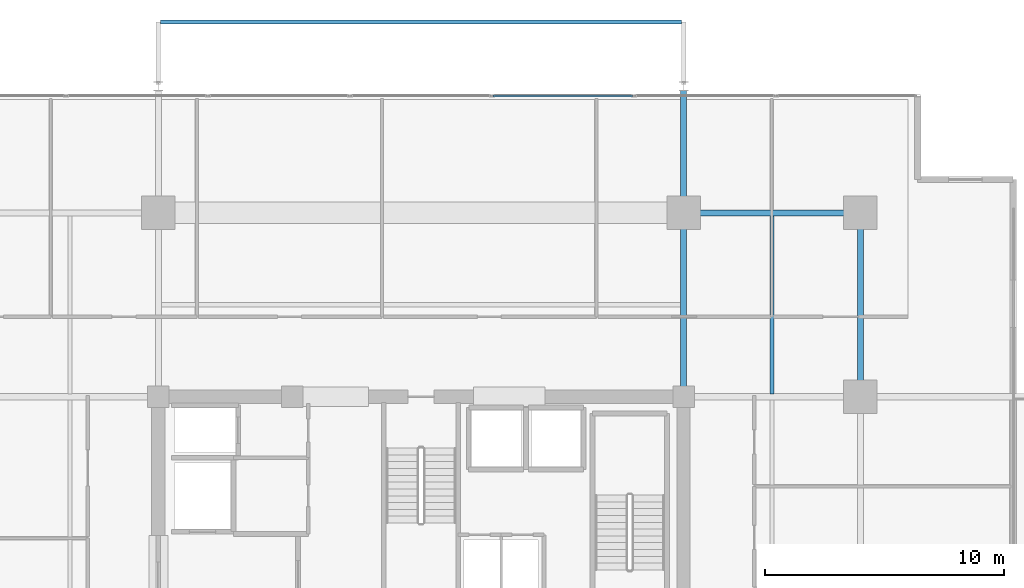
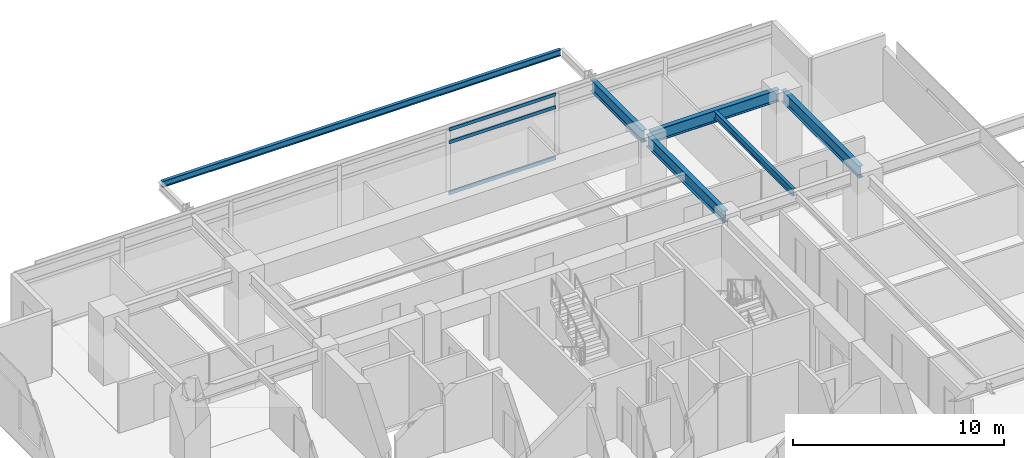
# One storey, part 11 of 21: 6 beams, 3 members, 1 element without a shape of its own.
"""IFC4 building model written with IfcOpenShell, lengths in metres."""

from ifc_helpers import new_model, si_unit, direction, frame, origin, origin_2d, place, context, subcontext, project, spatial, hollow_rectangle, i_section, extrude, material, material_profile, profile_set, type_object, element, aggregate, save


model = new_model("IFC4")

# Units and contexts
model_context = context("Model", 3, precision=1e-05, world=origin(), true_north=direction((0.0, 1.0)))
body_context = subcontext(model_context, "Body", "Model", "MODEL_VIEW")
ifc_project = project(units=[si_unit("LENGTHUNIT", "METRE"), si_unit("AREAUNIT", "SQUARE_METRE"), si_unit("VOLUMEUNIT", "CUBIC_METRE"), si_unit("PLANEANGLEUNIT", "RADIAN"), si_unit("MASSUNIT", "GRAM", prefix="KILO")], contexts=[model_context])

# Site, building, storey
site_placement = place(None, origin())
site = spatial("IfcSite", under=ifc_project, at=site_placement, CompositionType="ELEMENT")
building_placement = place(site_placement, origin())
building = spatial("IfcBuilding", under=site, at=building_placement, Name="Kovane Verandah Tower", CompositionType="ELEMENT")
storey_placement = place(building_placement, frame((0.0, 0.0, 205.199951171875)))
storey = spatial("IfcBuildingStorey", under=building, at=storey_placement, Name="L47", CompositionType="ELEMENT", Elevation=205.199951171875)

# Beams
ifc_material_1 = material(Name="Steel S355", Category="steel")
ifc_material_profile_1 = material_profile(ifc_material_1, i_section(OverallWidth=0.255859375, OverallDepth=0.69287109375, WebThickness=0.014404296875, FlangeThickness=0.023681640625, FilletRadius=0.01513671875, at=origin_2d()), Name="UB686x254x170")
ifc_profile_set_1 = profile_set([ifc_material_profile_1], Name="Steel S355")
beam_type_1 = type_object("IfcBeamType", Name="BM-UB686x170", PredefinedType="BEAM", material=ifc_profile_set_1)
beam_1_placement = place(storey_placement, frame((51.179931640625, 44.199951171875, 3.428466796875), z_axis=(1.0, 0.0, 0.0), x_axis=(0.0, 1.0, 0.0)))
element("IfcBeam", 1, at=beam_1_placement, inside=storey, type_object=beam_type_1, Name="L47 Primary Tower Girder G-RN3", PredefinedType="BEAM", context=body_context, shape_type="SweptSolid", body=[
    extrude(i_section(OverallWidth=0.255859375, OverallDepth=0.69287109375, WebThickness=0.014404296875, FlangeThickness=0.023681640625, FilletRadius=0.01513671875, at=origin_2d()), origin(), (0.0, 0.0, 1.0), 7.0400390625),
])
for number, where, z_axis, x_axis, name in (
    (2, (58.39990234375, 36.679931640625, 3.428466796875), (0.0, 1.0, 0.0), (-1.0, 0.0, 0.0), "L47 Primary Tower Girder G-RE3"),
    (3, (51.0, 36.679931640625, 3.428466796875), (0.0, 1.0, 0.0), (-1.0, 0.0, 0.0), "L47 Primary Tower Girder G-N2"),
):
    element("IfcBeam", number, at=place(storey_placement, frame(where, z_axis=z_axis, x_axis=x_axis)), inside=storey, type_object=beam_type_1, Name=name, PredefinedType="BEAM", context=body_context, shape_type="SweptSolid", body=[
        extrude(i_section(OverallWidth=0.255859375, OverallDepth=0.69287109375, WebThickness=0.014404296875, FlangeThickness=0.023681640625, FilletRadius=0.01513671875, at=origin_2d()), origin(), (0.0, 0.0, 1.0), 7.340087890625),
    ])
beam_2_placement = place(storey_placement, frame((51.0, 44.3798828125, 3.41357421875), z_axis=(0.0, 1.0, 0.0), x_axis=(-1.0, 0.0, 0.0)))
element("IfcBeam", 4, at=beam_2_placement, inside=storey, type_object=beam_type_1, Name="L47 Primary Tower Girder G-VN2", PredefinedType="BEAM", context=body_context, shape_type="SweptSolid", body=[
    extrude(i_section(OverallWidth=0.255859375, OverallDepth=0.69287109375, WebThickness=0.014404296875, FlangeThickness=0.023681640625, FilletRadius=0.01513671875, at=origin_2d()), origin(), (0.0, 0.0, 1.0), 4.940185546875),
])

# Curtain wall, members
ifc_material_2 = material(Name="Champagne Anodised Aluminium Frame with Low-E Clear Laminated Glass", Category="aluminium")
curtain_wall_type = type_object("IfcCurtainWallType", Name="CW-SYS-03-MID", PredefinedType="NOTDEFINED", material=ifc_material_2)
curtain_wall_placement = place(storey_placement, origin())
curtain_wall = element("IfcCurtainWall", 5, at=curtain_wall_placement, inside=storey, type_object=curtain_wall_type, Name="L47 N Unitised Curtain Wall", PredefinedType="NOTDEFINED")
ifc_material_3 = material(Name="Champagne Anodised Aluminium 6063-T6", Category="aluminium")
ifc_material_profile_2 = material_profile(ifc_material_3, hollow_rectangle(XDim=0.0849609375, YDim=0.18994140625, WallThickness=0.00390625, at=origin_2d()), Name="AL85x190x4")
ifc_profile_set_2 = profile_set([ifc_material_profile_2], Name="Champagne Anodised Aluminium 6063-T6")
member_type = type_object("IfcMemberType", Name="CW-TRN-85x190", PredefinedType="USERDEFINED", material=ifc_profile_set_2)
member_1_placement = place(storey_placement, frame((48.8642578125, 49.10009765625, 0.050048828125), z_axis=(-1.0, 0.0, 0.0), x_axis=(0.0, -1.0, 0.0)))
member_1 = element("IfcMember", 6, at=member_1_placement, type_object=member_type, Name="L47 N Unitised Curtain Wall Transom TB Bay 3", ObjectType="TRANSOM", PredefinedType="USERDEFINED", context=body_context, shape_type="SweptSolid", body=[
    extrude(hollow_rectangle(XDim=0.0849609375, YDim=0.18994140625, WallThickness=0.00390625, at=origin_2d()), origin(), (0.0, 0.0, 1.0), 5.8427734375),
])
member_2_placement = place(storey_placement, frame((48.8642578125, 49.10009765625, 2.9951171875), z_axis=(-1.0, 0.0, 0.0), x_axis=(0.0, -1.0, 0.0)))
member_2 = element("IfcMember", 7, at=member_2_placement, type_object=member_type, Name="L47 N Unitised Curtain Wall Transom TM Bay 3", ObjectType="TRANSOM", PredefinedType="USERDEFINED", context=body_context, shape_type="SweptSolid", body=[
    extrude(hollow_rectangle(XDim=0.0849609375, YDim=0.18994140625, WallThickness=0.00390625, at=origin_2d()), origin(), (0.0, 0.0, 1.0), 5.8427734375),
])
member_3_placement = place(storey_placement, frame((48.8642578125, 49.10009765625, 3.72509765625), z_axis=(-1.0, 0.0, 0.0), x_axis=(0.0, -1.0, 0.0)))
member_3 = element("IfcMember", 8, at=member_3_placement, type_object=member_type, Name="L47 N Unitised Curtain Wall Transom TT Bay 3", ObjectType="TRANSOM", PredefinedType="USERDEFINED", context=body_context, shape_type="SweptSolid", body=[
    extrude(hollow_rectangle(XDim=0.0849609375, YDim=0.18994140625, WallThickness=0.00390625, at=origin_2d()), origin(), (0.0, 0.0, 1.0), 5.8427734375),
])
aggregate(curtain_wall, [member_1, member_2, member_3])

# Beams
ifc_material_profile_3 = material_profile(ifc_material_1, i_section(OverallWidth=0.179443359375, OverallDepth=0.412841796875, WebThickness=0.009521484375, FlangeThickness=0.01611328125, FilletRadius=0.01025390625, at=origin_2d()), Name="UB406x178x74")
ifc_profile_set_3 = profile_set([ifc_material_profile_3], Name="Steel S355")
beam_type_2 = type_object("IfcBeamType", Name="JST-UB406x74", PredefinedType="JOIST", material=ifc_profile_set_3)
beam_3_placement = place(storey_placement, frame((54.699951171875, 36.6259765625, 3.568603515625), z_axis=(0.0, 1.0, 0.0), x_axis=(-1.0, 0.0, 0.0)))
element("IfcBeam", 9, at=beam_3_placement, inside=storey, type_object=beam_type_2, Name="L47 Secondary Composite Joist J-NE1", PredefinedType="JOIST", context=body_context, shape_type="SweptSolid", body=[
    extrude(i_section(OverallWidth=0.179443359375, OverallDepth=0.412841796875, WebThickness=0.009521484375, FlangeThickness=0.01611328125, FilletRadius=0.01025390625, at=origin_2d()), origin(), (0.0, 0.0, 1.0), 7.4482421875),
])
ifc_material_profile_4 = material_profile(ifc_material_1, i_section(OverallWidth=0.173095703125, OverallDepth=0.36328125, WebThickness=0.009033203125, FlangeThickness=0.015625, FilletRadius=0.01025390625, at=origin_2d()), Name="UB356x171x67")
ifc_profile_set_4 = profile_set([ifc_material_profile_4], Name="Steel S355")
beam_type_3 = type_object("IfcBeamType", Name="SPD-UB356x67", PredefinedType="USERDEFINED", material=ifc_profile_set_4)
beam_4_placement = place(storey_placement, frame((29.094482421875, 52.191650390625, 3.578369140625), z_axis=(1.0, 0.0, 0.0), x_axis=(0.0, 1.0, 0.0)))
element("IfcBeam", 10, at=beam_4_placement, inside=storey, type_object=beam_type_3, Name="L47 North Planter Edge Spandrel", ObjectType="SPANDREL", PredefinedType="USERDEFINED", context=body_context, shape_type="SweptSolid", body=[
    extrude(i_section(OverallWidth=0.173095703125, OverallDepth=0.36328125, WebThickness=0.009033203125, FlangeThickness=0.015625, FilletRadius=0.01025390625, at=origin_2d()), origin(), (0.0, 0.0, 1.0), 21.81103515625),
])

save(model, "model.ifc")
